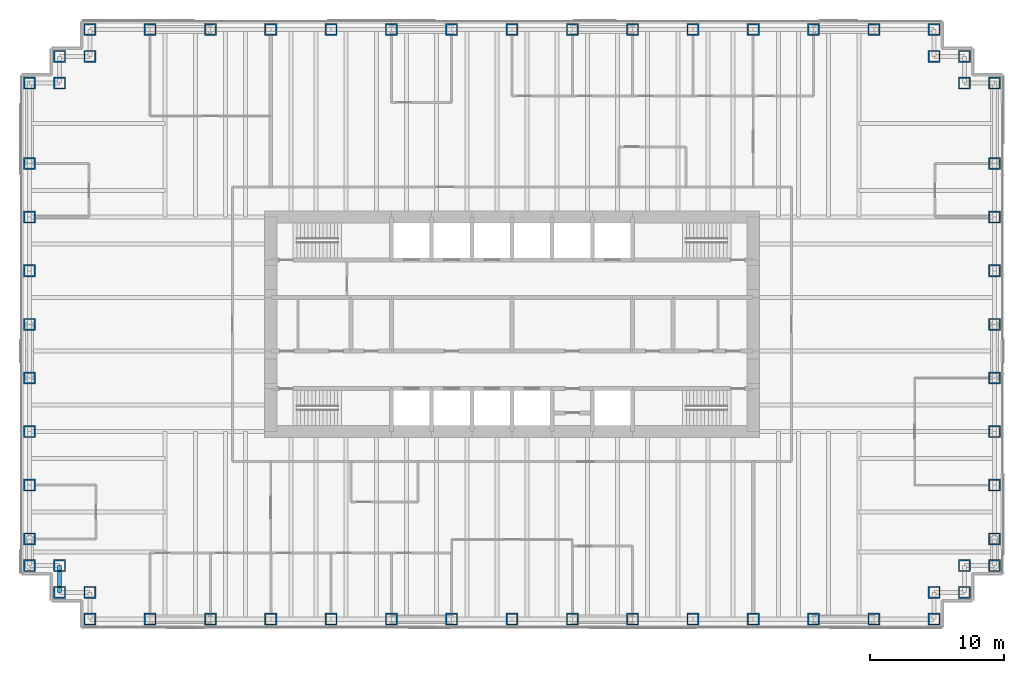
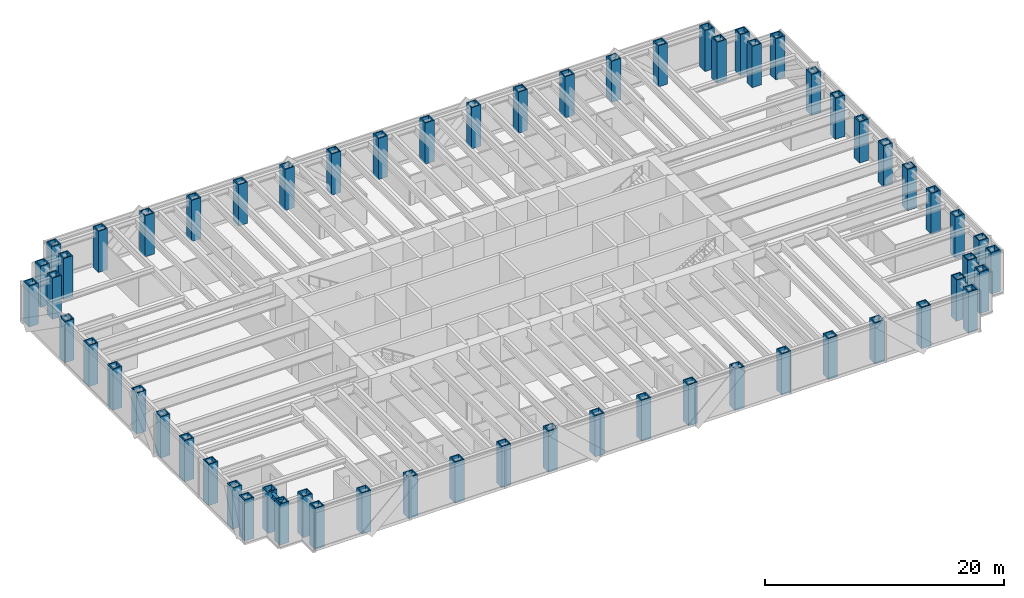
# One storey, part 1 of 17: 62 columns, 1 beam.
"""IFC4 building model written with IfcOpenShell, lengths in metres."""

from ifc_helpers import new_model, si_unit, direction, frame, origin, origin_2d, place, context, subcontext, project, spatial, hollow_rectangle, i_section, extrude, material, material_profile, profile_set, type_object, element, save


model = new_model("IFC4")

# Units and contexts
model_context = context("Model", 3, precision=1e-05, world=origin(), true_north=direction((0.0, 1.0)))
body_context = subcontext(model_context, "Body", "Model", "MODEL_VIEW")
ifc_project = project(units=[si_unit("LENGTHUNIT", "METRE"), si_unit("AREAUNIT", "SQUARE_METRE"), si_unit("VOLUMEUNIT", "CUBIC_METRE"), si_unit("PLANEANGLEUNIT", "RADIAN"), si_unit("MASSUNIT", "GRAM", prefix="KILO")], contexts=[model_context])

# Site, building, storey
site_placement = place(None, origin())
site = spatial("IfcSite", under=ifc_project, at=site_placement, CompositionType="ELEMENT")
building_placement = place(site_placement, origin())
building = spatial("IfcBuilding", under=site, at=building_placement, Name="Rheinbord Bourse Tower", CompositionType="ELEMENT")
storey_placement = place(building_placement, frame((0.0, 0.0, 159.300048828125)))
storey = spatial("IfcBuildingStorey", under=building, at=storey_placement, Name="L35", CompositionType="ELEMENT", Elevation=159.300048828125)

# Columns
ifc_material_1 = material(Name="Steel S460M", Category="steel")
ifc_material_profile_1 = material_profile(ifc_material_1, hollow_rectangle(XDim=0.89990234375, YDim=0.89990234375, WallThickness=0.10009765625, at=origin_2d()), Name="BOX 900x900x100")
ifc_profile_set_1 = profile_set([ifc_material_profile_1], Name="Steel S460M")
column_type = type_object("IfcColumnType", Name="TUBE COLUMN BOX 900x900x100", PredefinedType="COLUMN", material=ifc_profile_set_1)
for number, where, z_axis, x_axis, name in (
    (1, (4.5, 2.0, 0.0), (0.0, 0.0, 1.0), (0.0, 1.0, 0.0), "Column SW-E L35"),
    (2, (9.0, 2.0, 0.0), (0.0, 0.0, 1.0), (0.0, 1.0, 0.0), "Column S-9 L35"),
    (3, (13.5, 2.0, 0.0), (0.0, 0.0, 1.0), (0.0, 1.0, 0.0), "Column S-13.5 L35"),
    (4, (18.0, 2.0, 0.0), (0.0, 0.0, 1.0), (0.0, 1.0, 0.0), "Column S-18 L35"),
    (5, (22.5, 2.0, 0.0), (0.0, 0.0, 1.0), (0.0, 1.0, 0.0), "Column S-22.5 L35"),
    (6, (27.0, 2.0, 0.0), (0.0, 0.0, 1.0), (0.0, 1.0, 0.0), "Column S-27 L35"),
    (7, (31.5, 2.0, 0.0), (0.0, 0.0, 1.0), (0.0, 1.0, 0.0), "Column S-31.5 L35"),
    (8, (36.0, 2.0, 0.0), (0.0, 0.0, 1.0), (0.0, 1.0, 0.0), "Column S-36 L35"),
    (9, (40.5, 2.0, 0.0), (0.0, 0.0, 1.0), (0.0, 1.0, 0.0), "Column S-40.5 L35"),
    (10, (45.0, 2.0, 0.0), (0.0, 0.0, 1.0), (0.0, 1.0, 0.0), "Column S-45 L35"),
    (11, (49.5, 2.0, 0.0), (0.0, 0.0, 1.0), (0.0, 1.0, 0.0), "Column S-49.5 L35"),
    (12, (54.0, 2.0, 0.0), (0.0, 0.0, 1.0), (0.0, 1.0, 0.0), "Column S-54 L35"),
    (13, (58.5, 2.0, 0.0), (0.0, 0.0, 1.0), (0.0, 1.0, 0.0), "Column S-58.5 L35"),
    (14, (63.0, 2.0, 0.0), (0.0, 0.0, 1.0), (0.0, 1.0, 0.0), "Column S-63 L35"),
    (15, (67.5, 2.0, 0.0), (0.0, 0.0, 1.0), (0.0, 1.0, 0.0), "Column SE-E L35"),
    (16, (67.5, 4.0, 0.0), (0.0, 0.0, 1.0), (0.0, 1.0, 0.0), "Column SE-D L35"),
    (17, (69.75, 4.0, 0.0), (0.0, 0.0, 1.0), (1.0, 0.0, 0.0), "Column SE-C L35"),
    (18, (69.75, 6.0, 0.0), (0.0, 0.0, 1.0), (1.0, 0.0, 0.0), "Column SE-B L35"),
    (19, (72.0, 6.0, 0.0), (0.0, 0.0, 1.0), (1.0, 0.0, 0.0), "Column SE-A L35"),
    (20, (72.0, 8.0, 0.0), (0.0, 0.0, 1.0), (1.0, 0.0, 0.0), "Column E-8 L35"),
    (21, (72.0, 12.0, 0.0), (0.0, 0.0, 1.0), (1.0, 0.0, 0.0), "Column E-12 L35"),
    (22, (72.0, 16.0, 0.0), (0.0, 0.0, 1.0), (1.0, 0.0, 0.0), "Column E-16 L35"),
    (23, (72.0, 20.0, 0.0), (0.0, 0.0, 1.0), (1.0, 0.0, 0.0), "Column E-20 L35"),
    (24, (72.0, 24.0, 0.0), (0.0, 0.0, 1.0), (1.0, 0.0, 0.0), "Column E-24 L35"),
    (25, (72.0, 28.0, 0.0), (0.0, 0.0, 1.0), (1.0, 0.0, 0.0), "Column E-28 L35"),
    (26, (72.0, 32.0, 0.0), (0.0, 0.0, 1.0), (1.0, 0.0, 0.0), "Column E-32 L35"),
    (27, (72.0, 36.0, 0.0), (0.0, 0.0, 1.0), (1.0, 0.0, 0.0), "Column E-36 L35"),
    (28, (72.0, 42.0, 0.0), (0.0, 0.0, 1.0), (1.0, 0.0, 0.0), "Column NE-A L35"),
    (29, (69.75, 42.0, 0.0), (0.0, 0.0, 1.0), (1.0, 0.0, 0.0), "Column NE-B L35"),
    (30, (69.75, 44.0, 0.0), (0.0, 0.0, 1.0), (1.0, 0.0, 0.0), "Column NE-C L35"),
    (31, (67.5, 44.0, 0.0), (0.0, 0.0, 1.0), (0.0, 1.0, 0.0), "Column NE-D L35"),
    (32, (67.5, 46.0, 0.0), (0.0, 0.0, 1.0), (0.0, 1.0, 0.0), "Column NE-E L35"),
    (33, (63.0, 46.0, 0.0), (0.0, 0.0, 1.0), (0.0, 1.0, 0.0), "Column N-63 L35"),
    (34, (58.5, 46.0, 0.0), (0.0, 0.0, 1.0), (0.0, 1.0, 0.0), "Column N-58.5 L35"),
    (35, (54.0, 46.0, 0.0), (0.0, 0.0, 1.0), (0.0, 1.0, 0.0), "Column N-54 L35"),
    (36, (49.5, 46.0, 0.0), (0.0, 0.0, 1.0), (0.0, 1.0, 0.0), "Column N-49.5 L35"),
    (37, (45.0, 46.0, 0.0), (0.0, 0.0, 1.0), (0.0, 1.0, 0.0), "Column N-45 L35"),
    (38, (40.5, 46.0, 0.0), (0.0, 0.0, 1.0), (0.0, 1.0, 0.0), "Column N-40.5 L35"),
    (39, (36.0, 46.0, 0.0), (0.0, 0.0, 1.0), (0.0, 1.0, 0.0), "Column N-36 L35"),
    (40, (31.5, 46.0, 0.0), (0.0, 0.0, 1.0), (0.0, 1.0, 0.0), "Column N-31.5 L35"),
    (41, (27.0, 46.0, 0.0), (0.0, 0.0, 1.0), (0.0, 1.0, 0.0), "Column N-27 L35"),
    (42, (22.5, 46.0, 0.0), (0.0, 0.0, 1.0), (0.0, 1.0, 0.0), "Column N-22.5 L35"),
    (43, (18.0, 46.0, 0.0), (0.0, 0.0, 1.0), (0.0, 1.0, 0.0), "Column N-18 L35"),
    (44, (13.5, 46.0, 0.0), (0.0, 0.0, 1.0), (0.0, 1.0, 0.0), "Column N-13.5 L35"),
    (45, (9.0, 46.0, 0.0), (0.0, 0.0, 1.0), (0.0, 1.0, 0.0), "Column N-9 L35"),
    (46, (4.5, 46.0, 0.0), (0.0, 0.0, 1.0), (0.0, 1.0, 0.0), "Column NW-E L35"),
    (47, (4.5, 44.0, 0.0), (0.0, 0.0, 1.0), (0.0, 1.0, 0.0), "Column NW-D L35"),
    (48, (2.25, 44.0, 0.0), (0.0, 0.0, 1.0), (1.0, 0.0, 0.0), "Column NW-C L35"),
    (49, (2.25, 42.0, 0.0), (0.0, 0.0, 1.0), (1.0, 0.0, 0.0), "Column NW-B L35"),
    (50, (0.0, 42.0, 0.0), (0.0, 0.0, 1.0), (1.0, 0.0, 0.0), "Column NW-A L35"),
    (51, (0.0, 36.0, 0.0), (0.0, 0.0, 1.0), (1.0, 0.0, 0.0), "Column W-36 L35"),
    (52, (0.0, 32.0, 0.0), (0.0, 0.0, 1.0), (1.0, 0.0, 0.0), "Column W-32 L35"),
    (53, (0.0, 28.0, 0.0), (0.0, 0.0, 1.0), (1.0, 0.0, 0.0), "Column W-28 L35"),
    (54, (0.0, 24.0, 0.0), (0.0, 0.0, 1.0), (1.0, 0.0, 0.0), "Column W-24 L35"),
    (55, (0.0, 20.0, 0.0), (0.0, 0.0, 1.0), (1.0, 0.0, 0.0), "Column W-20 L35"),
    (56, (0.0, 16.0, 0.0), (0.0, 0.0, 1.0), (1.0, 0.0, 0.0), "Column W-16 L35"),
    (57, (0.0, 12.0, 0.0), (0.0, 0.0, 1.0), (1.0, 0.0, 0.0), "Column W-12 L35"),
    (58, (0.0, 8.0, 0.0), (0.0, 0.0, 1.0), (1.0, 0.0, 0.0), "Column W-8 L35"),
    (59, (0.0, 6.0, 0.0), (0.0, 0.0, 1.0), (1.0, 0.0, 0.0), "Column SW-A L35"),
    (60, (2.25, 6.0, 0.0), (0.0, 0.0, 1.0), (1.0, 0.0, 0.0), "Column SW-B L35"),
    (61, (2.25, 4.0, 0.0), (0.0, 0.0, 1.0), (1.0, 0.0, 0.0), "Column SW-C L35"),
    (62, (4.5, 4.0, 0.0), (0.0, 0.0, 1.0), (0.0, 1.0, 0.0), "Column SW-D L35"),
):
    element("IfcColumn", number, at=place(storey_placement, frame(where, z_axis=z_axis, x_axis=x_axis)), inside=storey, type_object=column_type, Name=name, PredefinedType="COLUMN", context=body_context, shape_type="SweptSolid", body=[
        extrude(hollow_rectangle(XDim=0.89990234375, YDim=0.89990234375, WallThickness=0.10009765625, at=origin_2d()), origin(), (0.0, 0.0, 1.0), 4.199951171875),
    ])

# Beam
ifc_material_2 = material(Name="Steel S460", Category="steel")
ifc_material_profile_2 = material_profile(ifc_material_2, i_section(OverallWidth=0.305908203125, OverallDepth=0.572021484375, WebThickness=0.02099609375, FlangeThickness=0.0400390625, at=origin_2d()), Name="HEM 550")
ifc_profile_set_2 = profile_set([ifc_material_profile_2], Name="Steel S460")
beam_type = type_object("IfcBeamType", Name="SPANDREL HEM 550", PredefinedType="SPANDREL", material=ifc_profile_set_2)
beam_placement = place(storey_placement, frame((2.25, 6.0, 3.75390625), z_axis=(0.0, -1.0, 0.0), x_axis=(1.0, 0.0, 0.0)))
element("IfcBeam", 63, at=beam_placement, inside=storey, type_object=beam_type, Name="Spandrel SW-B-SW-C under L36", PredefinedType="SPANDREL", context=body_context, shape_type="SweptSolid", body=[
    extrude(i_section(OverallWidth=0.305908203125, OverallDepth=0.572021484375, WebThickness=0.02099609375, FlangeThickness=0.0400390625, at=origin_2d()), origin(), (0.0, 0.0, 1.0), 2.0),
])

save(model, "model.ifc")
